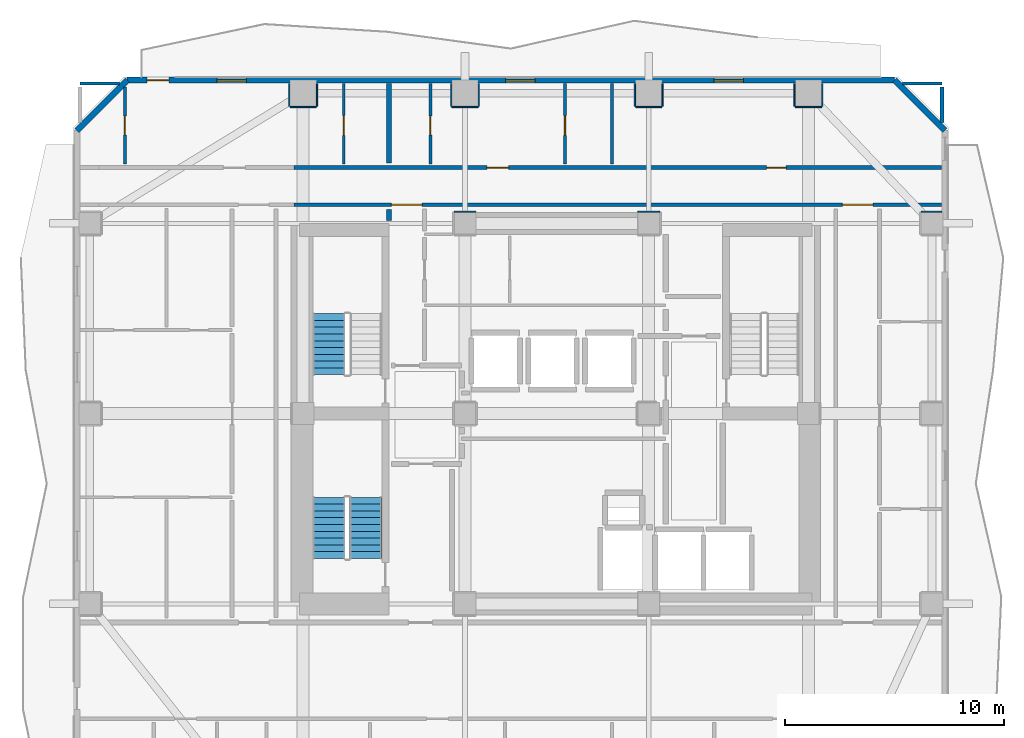
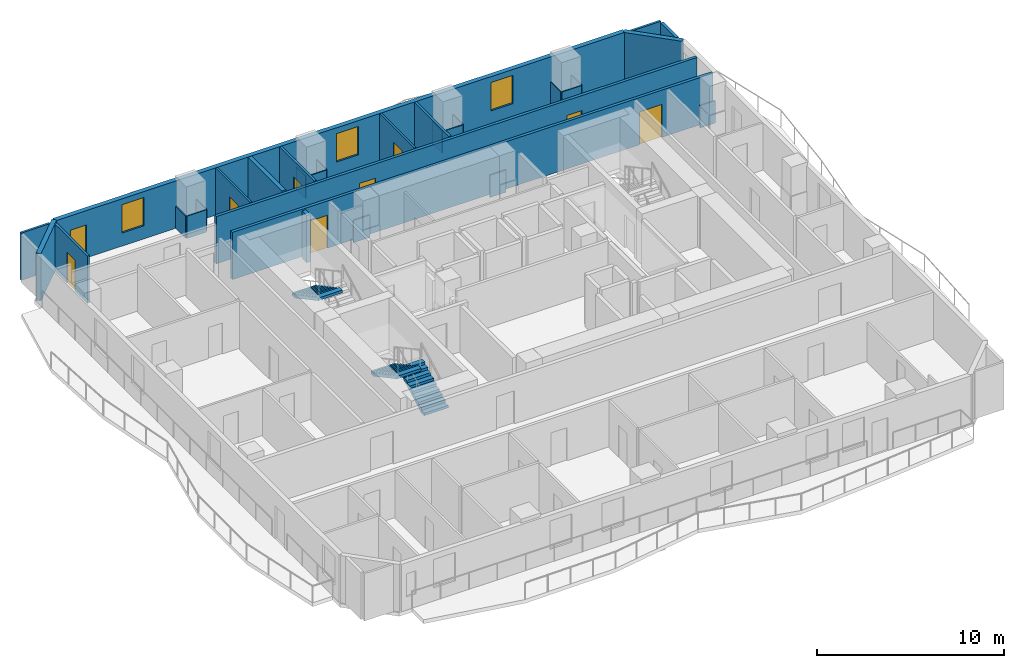
# One storey, part 6 of 11: 30 walls, 9 doors, 3 stair flights, 3 windows, 12 openings, 2 elements without a shape of their own.
"""IFC4 building model written with IfcOpenShell, lengths in metres."""

from ifc_helpers import new_model, si_unit, direction, frame, frame_2d, origin, place, context, subcontext, project, spatial, polyline, rectangle, outline, extrude, material, layer, layer_set, type_object, element, fill, aggregate, save


model = new_model("IFC4")

# Units and contexts
model_context = context("Model", 3, precision=1e-05, world=origin(), true_north=direction((0.0, 1.0)))
body_context = subcontext(model_context, "Body", "Model", "MODEL_VIEW")
ifc_project = project(units=[si_unit("LENGTHUNIT", "METRE"), si_unit("AREAUNIT", "SQUARE_METRE"), si_unit("VOLUMEUNIT", "CUBIC_METRE"), si_unit("PLANEANGLEUNIT", "RADIAN"), si_unit("MASSUNIT", "GRAM", prefix="KILO")], contexts=[model_context])

# Site, building, storey
site_placement = place(None, origin())
site = spatial("IfcSite", under=ifc_project, at=site_placement, CompositionType="ELEMENT")
building_placement = place(site_placement, origin())
building = spatial("IfcBuilding", under=site, at=building_placement, Name="Solanera Arch Residences", CompositionType="ELEMENT")
storey_placement = place(building_placement, frame((0.0, 0.0, 112.719970703125)))
storey = spatial("IfcBuildingStorey", under=building, at=storey_placement, Name="L32", CompositionType="ELEMENT", Elevation=112.719970703125)

# Walls
ifc_material_1 = material(Name="Fire-Rated Gypsum Stud Partition", Category="gypsum")
ifc_layer_1 = layer(ifc_material_1, 0.06005859375)
ifc_layer_set_1 = layer_set([ifc_layer_1], Name="Fire-Rated Gypsum Stud Partition")
wall_type_1 = type_object("IfcWallType", Name="Column Acoustic Furring Wall 60", PredefinedType="PARTITIONING", material=ifc_layer_set_1)
for number, where, z_axis, x_axis, name in (
    (1, (20.300048828125, 39.931884765625, 0.0), (0.0, 0.0, 1.0), (1.0, 0.0, 0.0), "L32 Column Furring 3N"),
    (2, (28.699951171875, 39.931884765625, 0.0), (0.0, 0.0, 1.0), (1.0, 0.0, 0.0), "L32 Column Furring 4N"),
):
    element("IfcWall", number, at=place(storey_placement, frame(where, z_axis=z_axis, x_axis=x_axis)), inside=storey, type_object=wall_type_1, Name=name, PredefinedType="PARTITIONING", context=body_context, shape_type="SweptSolid", body=[
        extrude(rectangle(XDim=1.0, YDim=0.06005859375, at=frame_2d((0.5, 0.0))), origin(), (0.0, 0.0, 1.0), 1.449951171875),
    ])
wall_1_placement = place(storey_placement, frame((12.800048828125, 44.718017578125, 0.0), z_axis=(0.0, 0.0, 1.0), x_axis=(1.0, 0.0, 0.0)))
element("IfcWall", 3, at=wall_1_placement, inside=storey, type_object=wall_type_1, Name="L32 Column Furring 10S", PredefinedType="PARTITIONING", context=body_context, shape_type="SweptSolid", body=[
    extrude(rectangle(XDim=1.199951171875, YDim=0.06005859375, at=frame_2d((0.60009765625, 0.0))), origin(), (0.0, 0.0, 1.0), 1.449951171875),
])
for number, where, z_axis, x_axis, name in (
    (4, (12.76806640625, 44.75, 0.0), (0.0, 0.0, 1.0), (0.0, 1.0, 0.0), "L32 Column Furring 10W"),
    (5, (14.031982421875, 44.75, 0.0), (0.0, 0.0, 1.0), (0.0, 1.0, 0.0), "L32 Column Furring 10E"),
):
    element("IfcWall", number, at=place(storey_placement, frame(where, z_axis=z_axis, x_axis=x_axis)), inside=storey, type_object=wall_type_1, Name=name, PredefinedType="PARTITIONING", context=body_context, shape_type="SweptSolid", body=[
        extrude(rectangle(XDim=1.0400390625, YDim=0.06005859375, at=frame_2d((0.52001953125, 0.0))), origin(), (0.0, 0.0, 1.0), 1.449951171875),
    ])
wall_2_placement = place(storey_placement, frame((20.199951171875, 44.718017578125, 0.0), z_axis=(0.0, 0.0, 1.0), x_axis=(1.0, 0.0, 0.0)))
element("IfcWall", 6, at=wall_2_placement, inside=storey, type_object=wall_type_1, Name="L32 Column Furring 12S", PredefinedType="PARTITIONING", context=body_context, shape_type="SweptSolid", body=[
    extrude(rectangle(XDim=1.199951171875, YDim=0.06005859375, at=frame_2d((0.60009765625, 0.0))), origin(), (0.0, 0.0, 1.0), 1.449951171875),
])
for number, where, z_axis, x_axis, name in (
    (7, (20.16796875, 44.75, 0.0), (0.0, 0.0, 1.0), (0.0, 1.0, 0.0), "L32 Column Furring 12W"),
    (8, (21.431884765625, 44.75, 0.0), (0.0, 0.0, 1.0), (0.0, 1.0, 0.0), "L32 Column Furring 12E"),
):
    element("IfcWall", number, at=place(storey_placement, frame(where, z_axis=z_axis, x_axis=x_axis)), inside=storey, type_object=wall_type_1, Name=name, PredefinedType="PARTITIONING", context=body_context, shape_type="SweptSolid", body=[
        extrude(rectangle(XDim=1.0400390625, YDim=0.06005859375, at=frame_2d((0.52001953125, 0.0))), origin(), (0.0, 0.0, 1.0), 1.449951171875),
    ])
wall_3_placement = place(storey_placement, frame((28.60009765625, 44.718017578125, 0.0), z_axis=(0.0, 0.0, 1.0), x_axis=(1.0, 0.0, 0.0)))
element("IfcWall", 9, at=wall_3_placement, inside=storey, type_object=wall_type_1, Name="L32 Column Furring 14S", PredefinedType="PARTITIONING", context=body_context, shape_type="SweptSolid", body=[
    extrude(rectangle(XDim=1.199951171875, YDim=0.06005859375, at=frame_2d((0.60009765625, 0.0))), origin(), (0.0, 0.0, 1.0), 1.449951171875),
])
for number, where, z_axis, x_axis, name in (
    (10, (28.568115234375, 44.75, 0.0), (0.0, 0.0, 1.0), (0.0, 1.0, 0.0), "L32 Column Furring 14W"),
    (11, (29.83203125, 44.75, 0.0), (0.0, 0.0, 1.0), (0.0, 1.0, 0.0), "L32 Column Furring 14E"),
):
    element("IfcWall", number, at=place(storey_placement, frame(where, z_axis=z_axis, x_axis=x_axis)), inside=storey, type_object=wall_type_1, Name=name, PredefinedType="PARTITIONING", context=body_context, shape_type="SweptSolid", body=[
        extrude(rectangle(XDim=1.0400390625, YDim=0.06005859375, at=frame_2d((0.52001953125, 0.0))), origin(), (0.0, 0.0, 1.0), 1.449951171875),
    ])
wall_4_placement = place(storey_placement, frame((35.89990234375, 44.718017578125, 0.0), z_axis=(0.0, 0.0, 1.0), x_axis=(1.0, 0.0, 0.0)))
element("IfcWall", 12, at=wall_4_placement, inside=storey, type_object=wall_type_1, Name="L32 Column Furring 16S", PredefinedType="PARTITIONING", context=body_context, shape_type="SweptSolid", body=[
    extrude(rectangle(XDim=1.2001953125, YDim=0.06005859375, at=frame_2d((0.60009765625, 0.0))), origin(), (0.0, 0.0, 1.0), 1.449951171875),
])
for number, where, z_axis, x_axis, name in (
    (13, (35.867919921875, 44.75, 0.0), (0.0, 0.0, 1.0), (0.0, 1.0, 0.0), "L32 Column Furring 16W"),
    (14, (37.132080078125, 44.75, 0.0), (0.0, 0.0, 1.0), (0.0, 1.0, 0.0), "L32 Column Furring 16E"),
):
    element("IfcWall", number, at=place(storey_placement, frame(where, z_axis=z_axis, x_axis=x_axis)), inside=storey, type_object=wall_type_1, Name=name, PredefinedType="PARTITIONING", context=body_context, shape_type="SweptSolid", body=[
        extrude(rectangle(XDim=1.0400390625, YDim=0.06005859375, at=frame_2d((0.52001953125, 0.0))), origin(), (0.0, 0.0, 1.0), 1.449951171875),
    ])
wall_5_placement = place(storey_placement, frame((41.64990234375, 39.931884765625, 0.0), z_axis=(0.0, 0.0, 1.0), x_axis=(1.0, 0.0, 0.0)))
element("IfcWall", 15, at=wall_5_placement, inside=storey, type_object=wall_type_1, Name="L32 Column Furring 22N", PredefinedType="PARTITIONING", context=body_context, shape_type="SweptSolid", body=[
    extrude(rectangle(XDim=0.940185546875, YDim=0.06005859375, at=frame_2d((0.47021484375, 0.0))), origin(), (0.0, 0.0, 1.0), 1.449951171875),
])

# Wall, openings, doors
ifc_material_2 = material(Name="Autoclaved Aerated Concrete Blockwork", Category="masonry")
ifc_layer_2 = layer(ifc_material_2, 0.179931640625)
ifc_layer_set_2 = layer_set([ifc_layer_2], Name="Autoclaved Aerated Concrete Blockwork")
wall_type_2 = type_object("IfcWallType", Name="Corridor Fire Partition 180", PredefinedType="PARTITIONING", material=ifc_layer_set_2)
wall_6_placement = place(storey_placement, frame((12.97900390625, 40.25, 0.0), z_axis=(0.0, 0.0, 1.0), x_axis=(1.0, 0.0, 0.0)))
wall_6 = element("IfcWall", 16, at=wall_6_placement, inside=storey, type_object=wall_type_2, Name="L32 Interior Partition H10 3", PredefinedType="PARTITIONING", context=body_context, shape_type="SweptSolid", body=[
    extrude(rectangle(XDim=29.614013671875, YDim=0.179931640625, at=frame_2d((14.80712890625, 0.0))), origin(), (0.0, 0.0, 1.0), 3.080078125),
])
opening_1_placement = place(wall_6_placement, frame((4.4560546875, 0.0, 0.0)))
opening_1 = element("IfcOpeningElement", 17, at=opening_1_placement, cuts=wall_6, Name="Opening DF-03", PredefinedType="OPENING", context=body_context, shape_type="SweptSolid", body=[
    extrude(rectangle(XDim=1.39990234375, YDim=2.14990234375, at=frame_2d((0.699951171875, 1.074951171875))), frame((0.0, 0.10009765625, 0.0), z_axis=(0.0, -1.0, 0.0), x_axis=(1.0, 0.0, 0.0)), (0.0, 0.0, 1.0), 0.1999),
])
opening_2_placement = place(wall_6_placement, frame((25.071044921875, 0.0, 0.0)))
opening_2 = element("IfcOpeningElement", 18, at=opening_2_placement, cuts=wall_6, Name="Opening DF-03", PredefinedType="OPENING", context=body_context, shape_type="SweptSolid", body=[
    extrude(rectangle(XDim=1.39990234375, YDim=2.14990234375, at=frame_2d((0.699951171875, 1.074951171875))), frame((0.0, 0.10009765625, 0.0), z_axis=(0.0, -1.0, 0.0), x_axis=(1.0, 0.0, 0.0)), (0.0, 0.0, 1.0), 0.1999),
])
ifc_material_3 = material(Name="Fire-Rated Architectural Hardwood", Category="wood")
door_type_1 = type_object("IfcDoorType", Name="Corridor Smoke Door DF-03", OperationType="NOTDEFINED", PredefinedType="DOOR", material=ifc_material_3)
door_1_placement = place(opening_1_placement, origin())
door_1 = element("IfcDoor", 19, at=door_1_placement, inside=storey, type_object=door_type_1, Name="DR-L32-IN-009", OperationType="SINGLE_SWING_RIGHT", OverallHeight=2.14990234375, OverallWidth=1.39990234375, PredefinedType="DOOR", context=body_context, shape_type="SweptSolid", body=[
    extrude(rectangle(XDim=1.39990234375, YDim=2.14990234375, at=frame_2d((0.699951171875, 1.074951171875))), frame((0.0, 0.02490234375, 0.0), z_axis=(0.0, -1.0, 0.0), x_axis=(1.0, 0.0, 0.0)), (0.0, 0.0, 1.0), 0.050048828125),
])
fill(opening_1, door_1)
door_2_placement = place(opening_2_placement, origin())
door_2 = element("IfcDoor", 20, at=door_2_placement, inside=storey, type_object=door_type_1, Name="DR-L32-IN-013", OperationType="SINGLE_SWING_RIGHT", OverallHeight=2.14990234375, OverallWidth=1.39990234375, PredefinedType="DOOR", context=body_context, shape_type="SweptSolid", body=[
    extrude(rectangle(XDim=1.39990234375, YDim=2.14990234375, at=frame_2d((0.699951171875, 1.074951171875))), frame((0.0, 0.02490234375, 0.0), z_axis=(0.0, -1.0, 0.0), x_axis=(1.0, 0.0, 0.0)), (0.0, 0.0, 1.0), 0.050048828125),
])
fill(opening_2, door_2)

wall_7_placement = place(storey_placement, frame((12.97900390625, 41.949951171875, 0.0), z_axis=(0.0, 0.0, 1.0), x_axis=(1.0, 0.0, 0.0)))
wall_7 = element("IfcWall", 21, at=wall_7_placement, inside=storey, type_object=wall_type_2, Name="L32 Interior Partition H11 3", PredefinedType="PARTITIONING", context=body_context, shape_type="SweptSolid", body=[
    extrude(rectangle(XDim=29.614013671875, YDim=0.179931640625, at=frame_2d((14.80712890625, 0.0))), origin(), (0.0, 0.0, 1.0), 3.080078125),
])
opening_3_placement = place(wall_7_placement, frame((8.81591796875, 0.0, 0.0)))
opening_3 = element("IfcOpeningElement", 22, at=opening_3_placement, cuts=wall_7, Name="Opening DI-01", PredefinedType="OPENING", context=body_context, shape_type="SweptSolid", body=[
    extrude(rectangle(XDim=1.0, YDim=2.14990234375, at=frame_2d((0.5, 1.074951171875))), frame((0.0, 0.10009765625, 0.0), z_axis=(0.0, -1.0, 0.0), x_axis=(1.0, 0.0, 0.0)), (0.0, 0.0, 1.0), 0.1999),
])
opening_4_placement = place(wall_7_placement, frame((21.60693359375, 0.0, 0.0)))
opening_4 = element("IfcOpeningElement", 23, at=opening_4_placement, cuts=wall_7, Name="Opening DI-02", PredefinedType="OPENING", context=body_context, shape_type="SweptSolid", body=[
    extrude(rectangle(XDim=0.89990234375, YDim=2.10009765625, at=frame_2d((0.449951171875, 1.050048828125))), frame((0.0, 0.10009765625, 0.0), z_axis=(0.0, -1.0, 0.0), x_axis=(1.0, 0.0, 0.0)), (0.0, 0.0, 1.0), 0.1999),
])
ifc_material_4 = material(Name="Fire-Rated Architectural Hardwood", Category="wood")
door_type_2 = type_object("IfcDoorType", Name="Suite Room Swing Door DI-02", OperationType="NOTDEFINED", PredefinedType="DOOR", material=ifc_material_4)
door_3_placement = place(opening_4_placement, origin())
door_3 = element("IfcDoor", 24, at=door_3_placement, inside=storey, type_object=door_type_2, Name="DR-L32-IN-035", OperationType="SINGLE_SWING_RIGHT", OverallHeight=2.10009765625, OverallWidth=0.89990234375, PredefinedType="DOOR", context=body_context, shape_type="SweptSolid", body=[
    extrude(rectangle(XDim=0.89990234375, YDim=2.10009765625, at=frame_2d((0.449951171875, 1.050048828125))), frame((0.0, 0.02490234375, 0.0), z_axis=(0.0, -1.0, 0.0), x_axis=(1.0, 0.0, 0.0)), (0.0, 0.0, 1.0), 0.050048828125),
])
fill(opening_4, door_3)
ifc_material_5 = material(Name="Fire-Rated Architectural Hardwood", Category="wood")
door_type_3 = type_object("IfcDoorType", Name="Unit Entrance Fire Door DI-01", OperationType="NOTDEFINED", PredefinedType="DOOR", material=ifc_material_5)
door_4_placement = place(opening_3_placement, origin())
door_4 = element("IfcDoor", 25, at=door_4_placement, inside=storey, type_object=door_type_3, Name="DR-L32-IN-032", OperationType="SINGLE_SWING_LEFT", OverallHeight=2.14990234375, OverallWidth=1.0, PredefinedType="DOOR", context=body_context, shape_type="SweptSolid", body=[
    extrude(rectangle(XDim=1.0, YDim=2.14990234375, at=frame_2d((0.5, 1.074951171875))), frame((0.0, 0.02490234375, 0.0), z_axis=(0.0, -1.0, 0.0), x_axis=(1.0, 0.0, 0.0)), (0.0, 0.0, 1.0), 0.050048828125),
])
fill(opening_3, door_4)

# Walls
wall_8_placement = place(storey_placement, frame((42.60009765625, 44.0048828125, 0.0), z_axis=(0.0, 0.0, 1.0), x_axis=(0.0, 1.0, 0.0)))
element("IfcWall", 26, at=wall_8_placement, inside=storey, type_object=wall_type_2, Name="L32 Interior Partition V14 2", PredefinedType="PARTITIONING", context=body_context, shape_type="SweptSolid", body=[
    extrude(rectangle(XDim=1.627197265625, YDim=0.179931640625, at=frame_2d((0.8134765625, 0.0))), origin(), (0.0, 0.0, 1.0), 3.080078125),
])
ifc_material_6 = material(Name="Precast Concrete C35/45", Category="concrete")
ifc_layer_3 = layer(ifc_material_6, 0.280029296875)
ifc_layer_set_3 = layer_set([ifc_layer_3], Name="Precast Concrete C35/45")
wall_type_3 = type_object("IfcWallType", Name="Exterior Wall Precast Masonry-Frame 280", PredefinedType="STANDARD", material=ifc_layer_set_3)
wall_9_placement = place(storey_placement, frame((3.054931640625, 43.64501953125, 0.0), z_axis=(0.0, 0.0, 1.0), x_axis=(0.707106781187, 0.707106781187, 0.0)))
element("IfcWall", 27, at=wall_9_placement, inside=storey, type_object=wall_type_3, Name="L32 Tower Exterior Precast Masonry-Frame Wall CH1", PredefinedType="STANDARD", context=body_context, shape_type="SweptSolid", body=[
    extrude(rectangle(XDim=3.252685546875, YDim=0.280029296875, at=frame_2d((1.62646484375, 0.0))), origin(), (0.0, 0.0, 1.0), 3.080078125),
])

# Wall, openings, door, windows
wall_10_placement = place(storey_placement, frame((5.35498046875, 45.945068359375, 0.0), z_axis=(0.0, 0.0, 1.0), x_axis=(1.0, 0.0, 0.0)))
wall_10 = element("IfcWall", 28, at=wall_10_placement, inside=storey, type_object=wall_type_3, Name="L32 Tower Exterior Precast Masonry-Frame Wall N", PredefinedType="STANDARD", context=body_context, shape_type="SweptSolid", body=[
    extrude(rectangle(XDim=35.090087890625, YDim=0.280029296875, at=frame_2d((17.544921875, 0.0))), origin(), (0.0, 0.0, 1.0), 3.080078125),
])
opening_5_placement = place(wall_10_placement, frame((0.904052734375, 0.0, 0.0)))
opening_5 = element("IfcOpeningElement", 29, at=opening_5_placement, cuts=wall_10, Name="Opening DB-01", PredefinedType="OPENING", context=body_context, shape_type="SweptSolid", body=[
    extrude(rectangle(XDim=1.0, YDim=2.14990234375, at=frame_2d((0.5, 1.074951171875))), frame((0.0, 0.14990234375, 0.0), z_axis=(0.0, -1.0, 0.0), x_axis=(1.0, 0.0, 0.0)), (0.0, 0.0, 1.0), 0.3),
])
opening_6_placement = place(wall_10_placement, frame((4.09912109375, 0.0, 0.85009765625)))
opening_6 = element("IfcOpeningElement", 30, at=opening_6_placement, cuts=wall_10, Name="Opening W-10", PredefinedType="OPENING", context=body_context, shape_type="SweptSolid", body=[
    extrude(rectangle(XDim=1.35009765625, YDim=1.85009765625, at=frame_2d((0.675048828125, 0.925048828125))), frame((0.0, 0.14990234375, 0.0), z_axis=(0.0, -1.0, 0.0), x_axis=(1.0, 0.0, 0.0)), (0.0, 0.0, 1.0), 0.3),
])
opening_7_placement = place(wall_10_placement, frame((17.304931640625, 0.0, 0.85009765625)))
opening_7 = element("IfcOpeningElement", 31, at=opening_7_placement, cuts=wall_10, Name="Opening W-10", PredefinedType="OPENING", context=body_context, shape_type="SweptSolid", body=[
    extrude(rectangle(XDim=1.35009765625, YDim=1.85009765625, at=frame_2d((0.675048828125, 0.925048828125))), frame((0.0, 0.14990234375, 0.0), z_axis=(0.0, -1.0, 0.0), x_axis=(1.0, 0.0, 0.0)), (0.0, 0.0, 1.0), 0.3),
])
opening_8_placement = place(wall_10_placement, frame((26.820068359375, 0.0, 0.85009765625)))
opening_8 = element("IfcOpeningElement", 32, at=opening_8_placement, cuts=wall_10, Name="Opening W-10", PredefinedType="OPENING", context=body_context, shape_type="SweptSolid", body=[
    extrude(rectangle(XDim=1.35009765625, YDim=1.85009765625, at=frame_2d((0.675048828125, 0.925048828125))), frame((0.0, 0.14990234375, 0.0), z_axis=(0.0, -1.0, 0.0), x_axis=(1.0, 0.0, 0.0)), (0.0, 0.0, 1.0), 0.3),
])
ifc_material_7 = material(Name="Anodised Aluminium Alloy 6063-T6", Category="aluminium")
door_type_4 = type_object("IfcDoorType", Name="Glazed Balcony Swing Door DB-01", OperationType="NOTDEFINED", PredefinedType="DOOR", material=ifc_material_7)
door_5_placement = place(opening_5_placement, origin())
door_5 = element("IfcDoor", 33, at=door_5_placement, inside=storey, type_object=door_type_4, Name="DR-L32-OUT-02", OperationType="SINGLE_SWING_LEFT", OverallHeight=2.14990234375, OverallWidth=1.0, PredefinedType="DOOR", context=body_context, shape_type="SweptSolid", body=[
    extrude(rectangle(XDim=1.0, YDim=2.14990234375, at=frame_2d((0.5, 1.074951171875))), frame((0.0, 0.02490234375, 0.0), z_axis=(0.0, -1.0, 0.0), x_axis=(1.0, 0.0, 0.0)), (0.0, 0.0, 1.0), 0.050048828125),
])
fill(opening_5, door_5)
ifc_material_8 = material(Name="Double Glazed Low-E Laminated Glass", Category="glass")
window_type = type_object("IfcWindowType", Name="Punched Window W-10", PartitioningType="DOUBLE_PANEL_VERTICAL", PredefinedType="WINDOW", material=ifc_material_8)
window_1_placement = place(opening_6_placement, origin())
window_1 = element("IfcWindow", 34, at=window_1_placement, inside=storey, type_object=window_type, Name="L32 3204-LIV Punched Window", OverallHeight=1.85009765625, OverallWidth=1.35009765625, PartitioningType="SINGLE_PANEL", PredefinedType="WINDOW", context=body_context, shape_type="SweptSolid", body=[
    extrude(rectangle(XDim=1.35009765625, YDim=1.85009765625, at=frame_2d((0.675048828125, 0.925048828125))), frame((0.0, 0.030029296875, 0.0), z_axis=(0.0, -1.0, 0.0), x_axis=(1.0, 0.0, 0.0)), (0.0, 0.0, 1.0), 0.06005859375),
])
fill(opening_6, window_1)
window_2_placement = place(opening_7_placement, origin())
window_2 = element("IfcWindow", 35, at=window_2_placement, inside=storey, type_object=window_type, Name="L32 3205-LIV Punched Window", OverallHeight=1.85009765625, OverallWidth=1.35009765625, PartitioningType="SINGLE_PANEL", PredefinedType="WINDOW", context=body_context, shape_type="SweptSolid", body=[
    extrude(rectangle(XDim=1.35009765625, YDim=1.85009765625, at=frame_2d((0.675048828125, 0.925048828125))), frame((0.0, 0.030029296875, 0.0), z_axis=(0.0, -1.0, 0.0), x_axis=(1.0, 0.0, 0.0)), (0.0, 0.0, 1.0), 0.06005859375),
])
fill(opening_7, window_2)
window_3_placement = place(opening_8_placement, origin())
window_3 = element("IfcWindow", 36, at=window_3_placement, inside=storey, type_object=window_type, Name="L32 AMN-LOUN Punched Window", OverallHeight=1.85009765625, OverallWidth=1.35009765625, PartitioningType="SINGLE_PANEL", PredefinedType="WINDOW", context=body_context, shape_type="SweptSolid", body=[
    extrude(rectangle(XDim=1.35009765625, YDim=1.85009765625, at=frame_2d((0.675048828125, 0.925048828125))), frame((0.0, 0.030029296875, 0.0), z_axis=(0.0, -1.0, 0.0), x_axis=(1.0, 0.0, 0.0)), (0.0, 0.0, 1.0), 0.06005859375),
])
fill(opening_8, window_3)

# Walls
wall_11_placement = place(storey_placement, frame((40.445068359375, 45.945068359375, 0.0), z_axis=(0.0, 0.0, 1.0), x_axis=(0.707106781187, -0.707106781187, 0.0)))
element("IfcWall", 37, at=wall_11_placement, inside=storey, type_object=wall_type_3, Name="L32 Tower Exterior Precast Masonry-Frame Wall CH3", PredefinedType="STANDARD", context=body_context, shape_type="SweptSolid", body=[
    extrude(rectangle(XDim=3.252685546875, YDim=0.280029296875, at=frame_2d((1.62646484375, 0.0))), origin(), (0.0, 0.0, 1.0), 3.080078125),
])
ifc_material_9 = material(Name="Autoclaved Aerated Concrete Blockwork", Category="masonry")
ifc_layer_4 = layer(ifc_material_9, 0.239990234375)
ifc_layer_set_4 = layer_set([ifc_layer_4], Name="Autoclaved Aerated Concrete Blockwork")
wall_type_4 = type_object("IfcWallType", Name="Shaft Wall Fire-Rated 240", PredefinedType="PARTITIONING", material=ifc_layer_set_4)
wall_12_placement = place(storey_placement, frame((17.320068359375, 39.530029296875, 0.0), z_axis=(0.0, 0.0, 1.0), x_axis=(0.0, 1.0, 0.0)))
element("IfcWall", 38, at=wall_12_placement, inside=storey, type_object=wall_type_4, Name="L32 Interior Partition V1", PredefinedType="PARTITIONING", context=body_context, shape_type="SweptSolid", body=[
    extrude(rectangle(XDim=0.501953125, YDim=0.239990234375, at=frame_2d((0.2509765625, 0.0))), origin(), (0.0, 0.0, 1.0), 3.080078125),
])
wall_13_placement = place(storey_placement, frame((17.320068359375, 42.16796875, 0.0), z_axis=(0.0, 0.0, 1.0), x_axis=(0.0, 1.0, 0.0)))
element("IfcWall", 39, at=wall_13_placement, inside=storey, type_object=wall_type_4, Name="L32 Interior Partition V2", PredefinedType="PARTITIONING", context=body_context, shape_type="SweptSolid", body=[
    extrude(rectangle(XDim=3.625, YDim=0.239990234375, at=frame_2d((1.8125, 0.0))), origin(), (0.0, 0.0, 1.0), 3.080078125),
])

# Wall, opening, door
ifc_material_10 = material(Name="Fire-Rated Gypsum Stud Partition", Category="gypsum")
ifc_layer_5 = layer(ifc_material_10, 0.1201171875)
ifc_layer_set_5 = layer_set([ifc_layer_5], Name="Fire-Rated Gypsum Stud Partition")
wall_type_5 = type_object("IfcWallType", Name="Unit Drywall Partition 120", PredefinedType="PARTITIONING", material=ifc_layer_set_5)
wall_14_placement = place(storey_placement, frame((15.260009765625, 42.10791015625, 0.0), z_axis=(0.0, 0.0, 1.0), x_axis=(0.0, 1.0, 0.0)))
wall_14 = element("IfcWall", 40, at=wall_14_placement, inside=storey, type_object=wall_type_5, Name="L32 Interior Partition V26", PredefinedType="PARTITIONING", context=body_context, shape_type="SweptSolid", body=[
    extrude(rectangle(XDim=3.68505859375, YDim=0.1201171875, at=frame_2d((1.842529296875, 0.0))), origin(), (0.0, 0.0, 1.0), 3.080078125),
])
opening_9_placement = place(wall_14_placement, frame((1.31689453125, 0.0, 0.0)))
opening_9 = element("IfcOpeningElement", 41, at=opening_9_placement, cuts=wall_14, Name="Opening DI-02", PredefinedType="OPENING", context=body_context, shape_type="SweptSolid", body=[
    extrude(rectangle(XDim=0.89990234375, YDim=2.10009765625, at=frame_2d((0.449951171875, 1.050048828125))), frame((0.0, 0.070068359375, 0.0), z_axis=(0.0, -1.0, 0.0), x_axis=(1.0, 0.0, 0.0)), (0.0, 0.0, 1.0), 0.1401),
])
door_6_placement = place(opening_9_placement, origin())
door_6 = element("IfcDoor", 42, at=door_6_placement, inside=storey, type_object=door_type_2, Name="DR-L32-IN-031", OperationType="SINGLE_SWING_RIGHT", OverallHeight=2.10009765625, OverallWidth=0.89990234375, PredefinedType="DOOR", context=body_context, shape_type="SweptSolid", body=[
    extrude(rectangle(XDim=0.89990234375, YDim=2.10009765625, at=frame_2d((0.449951171875, 1.050048828125))), frame((0.0, 0.02490234375, 0.0), z_axis=(0.0, -1.0, 0.0), x_axis=(1.0, 0.0, 0.0)), (0.0, 0.0, 1.0), 0.050048828125),
])
fill(opening_9, door_6)

wall_15_placement = place(storey_placement, frame((25.3701171875, 42.10791015625, 0.0), z_axis=(0.0, 0.0, 1.0), x_axis=(0.0, 1.0, 0.0)))
wall_15 = element("IfcWall", 43, at=wall_15_placement, inside=storey, type_object=wall_type_5, Name="L32 Interior Partition V29", PredefinedType="PARTITIONING", context=body_context, shape_type="SweptSolid", body=[
    extrude(rectangle(XDim=3.68505859375, YDim=0.1201171875, at=frame_2d((1.842529296875, 0.0))), origin(), (0.0, 0.0, 1.0), 3.080078125),
])
opening_10_placement = place(wall_15_placement, frame((1.31689453125, 0.0, 0.0)))
opening_10 = element("IfcOpeningElement", 44, at=opening_10_placement, cuts=wall_15, Name="Opening DI-02", PredefinedType="OPENING", context=body_context, shape_type="SweptSolid", body=[
    extrude(rectangle(XDim=0.89990234375, YDim=2.10009765625, at=frame_2d((0.449951171875, 1.050048828125))), frame((0.0, 0.070068359375, 0.0), z_axis=(0.0, -1.0, 0.0), x_axis=(1.0, 0.0, 0.0)), (0.0, 0.0, 1.0), 0.1401),
])
door_7_placement = place(opening_10_placement, origin())
door_7 = element("IfcDoor", 45, at=door_7_placement, inside=storey, type_object=door_type_2, Name="DR-L32-IN-034", OperationType="SINGLE_SWING_LEFT", OverallHeight=2.10009765625, OverallWidth=0.89990234375, PredefinedType="DOOR", context=body_context, shape_type="SweptSolid", body=[
    extrude(rectangle(XDim=0.89990234375, YDim=2.10009765625, at=frame_2d((0.449951171875, 1.050048828125))), frame((0.0, 0.02490234375, 0.0), z_axis=(0.0, -1.0, 0.0), x_axis=(1.0, 0.0, 0.0)), (0.0, 0.0, 1.0), 0.050048828125),
])
fill(opening_10, door_7)

# Walls
ifc_material_11 = material(Name="Autoclaved Aerated Concrete Blockwork", Category="masonry")
ifc_layer_6 = layer(ifc_material_11, 0.139892578125)
ifc_layer_set_6 = layer_set([ifc_layer_6], Name="Autoclaved Aerated Concrete Blockwork")
wall_type_6 = type_object("IfcWallType", Name="Wet-Room Partition 140", PredefinedType="PARTITIONING", material=ifc_layer_set_6)
for number, where, z_axis, x_axis, name in (
    (46, (3.199951171875, 45.800048828125, 0.0), (0.0, 0.0, 1.0), (1.0, 0.0, 0.0), "L32 Interior Partition H17 1"),
    (47, (40.804931640625, 45.800048828125, 0.0), (0.0, 0.0, 1.0), (1.0, 0.0, 0.0), "L32 Interior Partition H17 2"),
):
    element("IfcWall", number, at=place(storey_placement, frame(where, z_axis=z_axis, x_axis=x_axis)), inside=storey, type_object=wall_type_6, Name=name, PredefinedType="PARTITIONING", context=body_context, shape_type="SweptSolid", body=[
        extrude(rectangle(XDim=1.795166015625, YDim=0.139892578125, at=frame_2d((0.8974609375, 0.0))), origin(), (0.0, 0.0, 1.0), 3.080078125),
    ])

# Wall, opening, door
wall_16_placement = place(storey_placement, frame((5.25, 42.117919921875, 0.0), z_axis=(0.0, 0.0, 1.0), x_axis=(0.0, 1.0, 0.0)))
wall_16 = element("IfcWall", 48, at=wall_16_placement, inside=storey, type_object=wall_type_6, Name="L32 Interior Partition V15", PredefinedType="PARTITIONING", context=body_context, shape_type="SweptSolid", body=[
    extrude(rectangle(XDim=3.507080078125, YDim=0.139892578125, at=frame_2d((1.75341796875, 0.0))), origin(), (0.0, 0.0, 1.0), 3.080078125),
])
opening_11_placement = place(wall_16_placement, frame((1.326904296875, 0.0, 0.0)))
opening_11 = element("IfcOpeningElement", 49, at=opening_11_placement, cuts=wall_16, Name="Opening DI-05", PredefinedType="OPENING", context=body_context, shape_type="SweptSolid", body=[
    extrude(rectangle(XDim=0.860107421875, YDim=2.02001953125, at=frame_2d((0.43017578125, 1.010009765625))), frame((0.0, 0.079833984375, 0.0), z_axis=(0.0, -1.0, 0.0), x_axis=(1.0, 0.0, 0.0)), (0.0, 0.0, 1.0), 0.1599),
])
ifc_material_12 = material(Name="Fire-Rated Architectural Hardwood", Category="wood")
door_type_5 = type_object("IfcDoorType", Name="Bathroom Swing Door DI-05", OperationType="NOTDEFINED", PredefinedType="DOOR", material=ifc_material_12)
door_8_placement = place(opening_11_placement, origin())
door_8 = element("IfcDoor", 50, at=door_8_placement, inside=storey, type_object=door_type_5, Name="DR-L32-IN-030", OperationType="SINGLE_SWING_LEFT", OverallHeight=2.02001953125, OverallWidth=0.860107421875, PredefinedType="DOOR", context=body_context, shape_type="SweptSolid", body=[
    extrude(rectangle(XDim=0.860107421875, YDim=2.02001953125, at=frame_2d((0.43017578125, 1.010009765625))), frame((0.0, 0.02490234375, 0.0), z_axis=(0.0, -1.0, 0.0), x_axis=(1.0, 0.0, 0.0)), (0.0, 0.0, 1.0), 0.050048828125),
])
fill(opening_11, door_8)

wall_17_placement = place(storey_placement, frame((19.219970703125, 42.117919921875, 0.0), z_axis=(0.0, 0.0, 1.0), x_axis=(0.0, 1.0, 0.0)))
wall_17 = element("IfcWall", 51, at=wall_17_placement, inside=storey, type_object=wall_type_6, Name="L32 Interior Partition V21", PredefinedType="PARTITIONING", context=body_context, shape_type="SweptSolid", body=[
    extrude(rectangle(XDim=3.675048828125, YDim=0.139892578125, at=frame_2d((1.83740234375, 0.0))), origin(), (0.0, 0.0, 1.0), 3.080078125),
])
opening_12_placement = place(wall_17_placement, frame((1.326904296875, 0.0, 0.0)))
opening_12 = element("IfcOpeningElement", 52, at=opening_12_placement, cuts=wall_17, Name="Opening DI-05", PredefinedType="OPENING", context=body_context, shape_type="SweptSolid", body=[
    extrude(rectangle(XDim=0.860107421875, YDim=2.02001953125, at=frame_2d((0.43017578125, 1.010009765625))), frame((0.0, 0.079833984375, 0.0), z_axis=(0.0, -1.0, 0.0), x_axis=(1.0, 0.0, 0.0)), (0.0, 0.0, 1.0), 0.1599),
])
door_9_placement = place(opening_12_placement, origin())
door_9 = element("IfcDoor", 53, at=door_9_placement, inside=storey, type_object=door_type_5, Name="DR-L32-IN-033", OperationType="SINGLE_SWING_RIGHT", OverallHeight=2.02001953125, OverallWidth=0.860107421875, PredefinedType="DOOR", context=body_context, shape_type="SweptSolid", body=[
    extrude(rectangle(XDim=0.860107421875, YDim=2.02001953125, at=frame_2d((0.43017578125, 1.010009765625))), frame((0.0, 0.02490234375, 0.0), z_axis=(0.0, -1.0, 0.0), x_axis=(1.0, 0.0, 0.0)), (0.0, 0.0, 1.0), 0.050048828125),
])
fill(opening_12, door_9)

# Wall
wall_18_placement = place(storey_placement, frame((27.52001953125, 42.117919921875, 0.0), z_axis=(0.0, 0.0, 1.0), x_axis=(0.0, 1.0, 0.0)))
element("IfcWall", 54, at=wall_18_placement, inside=storey, type_object=wall_type_6, Name="L32 Interior Partition V23", PredefinedType="PARTITIONING", context=body_context, shape_type="SweptSolid", body=[
    extrude(rectangle(XDim=3.675048828125, YDim=0.139892578125, at=frame_2d((1.83740234375, 0.0))), origin(), (0.0, 0.0, 1.0), 3.080078125),
])

# Stair, stair flight
ifc_material_13 = material(Name="Concrete C40/50 (f'c = 45 MPa)", Category="concrete")
stair_type = type_object("IfcStairType", Name="Tower Dogleg Exit Stair 1480", PredefinedType="HALF_TURN_STAIR", material=ifc_material_13)
stair_1_placement = place(storey_placement, origin())
stair_1 = element("IfcStair", 55, at=stair_1_placement, inside=storey, type_object=stair_type, Name="L32 Tower Core Exit Stair 1", PredefinedType="HALF_TURN_STAIR")
ifc_material_14 = material(Name="Concrete C40/50 (f'c = 45 MPa)", Category="concrete")
stair_flight_type = type_object("IfcStairFlightType", Name="Tower Precast Stair Flight 1480", PredefinedType="STRAIGHT", material=ifc_material_14)
stair_flight_1_placement = place(storey_placement, frame((14.580078125, 35.27001953125, 1.659912109375), z_axis=(0.0, 0.0, 1.0), x_axis=(0.0, -1.0, 0.0)))
stair_flight_1 = element("IfcStairFlight", 56, at=stair_flight_1_placement, type_object=stair_flight_type, Name="ST-T1 flight 2", NumberOfRisers=10, NumberOfTreads=9, PredefinedType="STRAIGHT", RiserHeight=0.166, TreadLength=0.31, context=body_context, shape_type="SweptSolid", body=[
    extrude(outline(polyline([(0.0, 0.0), (0.0, 0.166015625), (0.31005859375, 0.166015625), (0.31005859375, 0.33203125), (0.6201171875, 0.33203125), (0.6201171875, 0.498046875), (0.929931640625, 0.498046875), (0.929931640625, 0.6640625), (1.239990234375, 0.6640625), (1.239990234375, 0.830078125), (1.550048828125, 0.830078125), (1.550048828125, 0.99609375), (1.860107421875, 0.99609375), (1.860107421875, 1.162109375), (2.169921875, 1.162109375), (2.169921875, 1.327880859375), (2.47998046875, 1.327880859375), (2.47998046875, 1.493896484375), (2.7900390625, 1.493896484375), (2.7900390625, 1.659912109375), (2.7900390625, 1.323974609375), (0.317626953125, 0.0), (0.0, 0.0)])), frame((0.0, 0.739990234375, 0.0), z_axis=(0.0, -1.0, 0.0), x_axis=(1.0, 0.0, 0.0)), (0.0, 0.0, 1.0), 1.47998046875),
])
aggregate(stair_1, [stair_flight_1])

# Stair, stair flights
stair_2_placement = place(storey_placement, origin())
stair_2 = element("IfcStair", 57, at=stair_2_placement, inside=storey, type_object=stair_type, Name="L32 Tower Core Exit Stair 3", PredefinedType="HALF_TURN_STAIR")
stair_flight_2_placement = place(storey_placement, frame((16.260009765625, 24.080078125, 0.0), z_axis=(0.0, 0.0, 1.0), x_axis=(0.0, 1.0, 0.0)))
stair_flight_2 = element("IfcStairFlight", 58, at=stair_flight_2_placement, type_object=stair_flight_type, Name="ST-T3 flight 1", NumberOfRisers=10, NumberOfTreads=9, PredefinedType="STRAIGHT", RiserHeight=0.166, TreadLength=0.31, context=body_context, shape_type="SweptSolid", body=[
    extrude(outline(polyline([(0.0, 0.0), (0.0, 0.166015625), (0.31005859375, 0.166015625), (0.31005859375, 0.33203125), (0.6201171875, 0.33203125), (0.6201171875, 0.498046875), (0.929931640625, 0.498046875), (0.929931640625, 0.6640625), (1.239990234375, 0.6640625), (1.239990234375, 0.830078125), (1.550048828125, 0.830078125), (1.550048828125, 0.99609375), (1.860107421875, 0.99609375), (1.860107421875, 1.162109375), (2.169921875, 1.162109375), (2.169921875, 1.327880859375), (2.47998046875, 1.327880859375), (2.47998046875, 1.493896484375), (2.7900390625, 1.493896484375), (2.7900390625, 1.659912109375), (2.7900390625, 1.323974609375), (0.317626953125, 0.0), (0.0, 0.0)])), frame((0.0, 0.739990234375, 0.0), z_axis=(0.0, -1.0, 0.0), x_axis=(1.0, 0.0, 0.0)), (0.0, 0.0, 1.0), 1.47998046875),
])
stair_flight_3_placement = place(storey_placement, frame((14.580078125, 26.8701171875, 1.659912109375), z_axis=(0.0, 0.0, 1.0), x_axis=(0.0, -1.0, 0.0)))
stair_flight_3 = element("IfcStairFlight", 59, at=stair_flight_3_placement, type_object=stair_flight_type, Name="ST-T3 flight 2", NumberOfRisers=10, NumberOfTreads=9, PredefinedType="STRAIGHT", RiserHeight=0.166, TreadLength=0.31, context=body_context, shape_type="SweptSolid", body=[
    extrude(outline(polyline([(0.0, 0.0), (0.0, 0.166015625), (0.31005859375, 0.166015625), (0.31005859375, 0.33203125), (0.6201171875, 0.33203125), (0.6201171875, 0.498046875), (0.929931640625, 0.498046875), (0.929931640625, 0.6640625), (1.239990234375, 0.6640625), (1.239990234375, 0.830078125), (1.550048828125, 0.830078125), (1.550048828125, 0.99609375), (1.860107421875, 0.99609375), (1.860107421875, 1.162109375), (2.169921875, 1.162109375), (2.169921875, 1.327880859375), (2.47998046875, 1.327880859375), (2.47998046875, 1.493896484375), (2.7900390625, 1.493896484375), (2.7900390625, 1.659912109375), (2.7900390625, 1.323974609375), (0.317626953125, 0.0), (0.0, 0.0)])), frame((0.0, 0.739990234375, 0.0), z_axis=(0.0, -1.0, 0.0), x_axis=(1.0, 0.0, 0.0)), (0.0, 0.0, 1.0), 1.47998046875),
])
aggregate(stair_2, [stair_flight_2, stair_flight_3])

save(model, "model.ifc")
